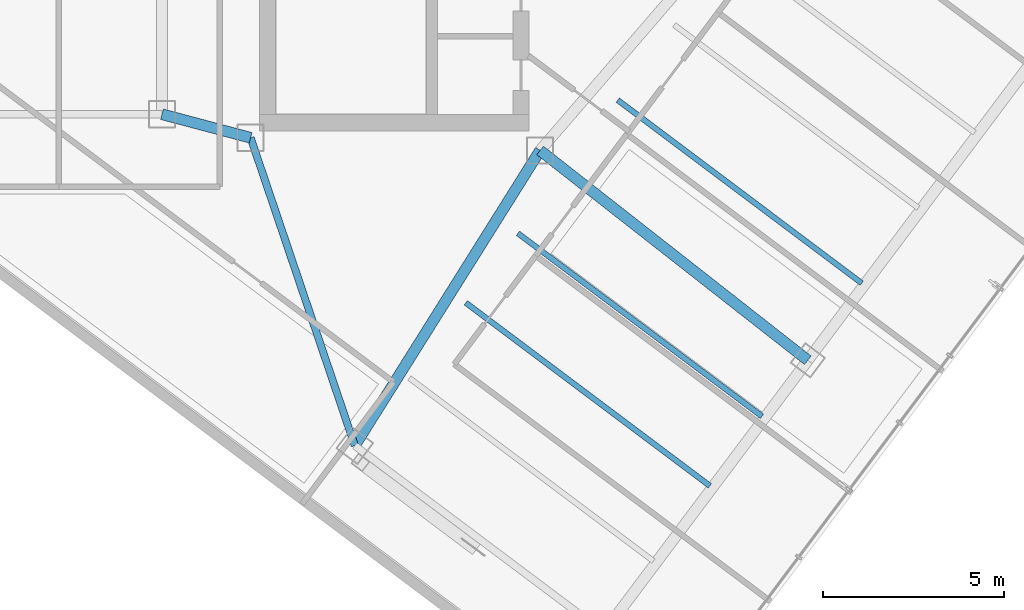
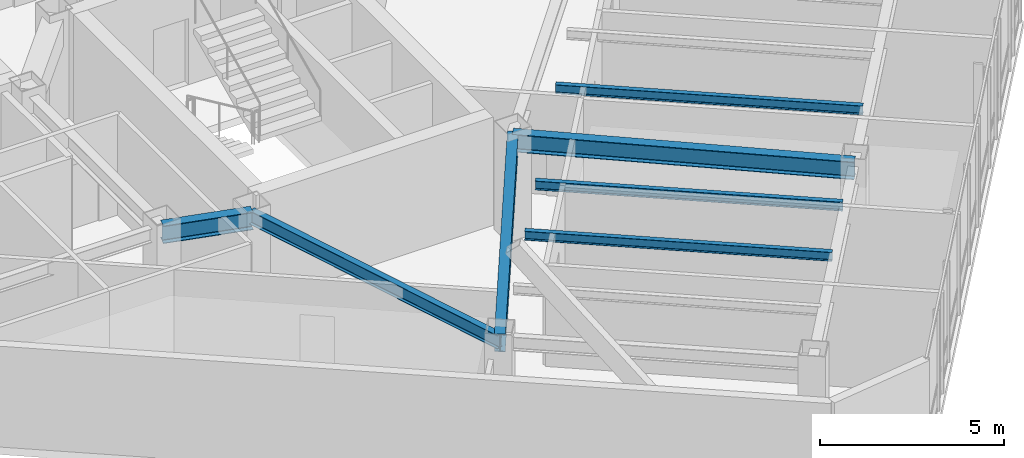
# One storey, part 3 of 26: 7 beams.
"""IFC4 building model written with IfcOpenShell, lengths in metres."""

from ifc_helpers import new_model, si_unit, direction, frame, origin, origin_2d, place, context, subcontext, project, spatial, i_section, extrude, material, material_profile, profile_set, type_object, element, save


model = new_model("IFC4")

# Units and contexts
model_context = context("Model", 3, precision=1e-05, world=origin(), true_north=direction((0.0, 1.0)))
body_context = subcontext(model_context, "Body", "Model", "MODEL_VIEW")
ifc_project = project(units=[si_unit("LENGTHUNIT", "METRE"), si_unit("AREAUNIT", "SQUARE_METRE"), si_unit("VOLUMEUNIT", "CUBIC_METRE"), si_unit("PLANEANGLEUNIT", "RADIAN"), si_unit("MASSUNIT", "GRAM", prefix="KILO")], contexts=[model_context])

# Site, building, storey
site_placement = place(None, origin())
site = spatial("IfcSite", under=ifc_project, at=site_placement, CompositionType="ELEMENT")
building_placement = place(site_placement, origin())
building = spatial("IfcBuilding", under=site, at=building_placement, Name="Hatsunagi Terrace Concourse", CompositionType="ELEMENT")
storey_placement = place(building_placement, frame((0.0, 0.0, 195.14990234375)))
storey = spatial("IfcBuildingStorey", under=building, at=storey_placement, Name="L51", CompositionType="ELEMENT", Elevation=195.14990234375)

# Beams
ifc_material_1 = material(Name="Steel SN490B", Category="steel")
ifc_material_profile_1 = material_profile(ifc_material_1, i_section(OverallWidth=0.300048828125, OverallDepth=0.587890625, WebThickness=0.011962890625, FlangeThickness=0.02001953125, FilletRadius=0.01806640625, at=origin_2d()), Name="H-588x300x12x20")
ifc_profile_set_1 = profile_set([ifc_material_profile_1], Name="Steel SN490B")
beam_type_1 = type_object("IfcBeamType", Name="OfficeHighGirder_H_588x300", PredefinedType="BEAM", material=ifc_profile_set_1)
beam_1_placement = place(storey_placement, frame((33.35009765625, 25.199951171875, 3.05615234375), z_axis=(0.966569840116, -0.256403479262, 0.0), x_axis=(0.256403479262, 0.966569840116, 0.0)))
element("IfcBeam", 1, at=beam_1_placement, inside=storey, type_object=beam_type_1, Name="Beam G-06 BM-L51-K2CB", PredefinedType="BEAM", context=body_context, shape_type="SweptSolid", body=[
    extrude(i_section(OverallWidth=0.300048828125, OverallDepth=0.587890625, WebThickness=0.011962890625, FlangeThickness=0.02001953125, FilletRadius=0.01806640625, at=origin_2d()), origin(), (0.0, 0.0, 1.0), 2.53466796875),
])
beam_2_placement = place(storey_placement, frame((38.679931640625, 16.0400390625, 3.05615234375), z_axis=(0.531503907049, 0.847055840421, 0.0), x_axis=(-0.847055840421, 0.531503907049, 0.0)))
element("IfcBeam", 2, at=beam_2_placement, inside=storey, type_object=beam_type_1, Name="Beam G-06 BM-L51-SET-1A", PredefinedType="BEAM", context=body_context, shape_type="SweptSolid", body=[
    extrude(i_section(OverallWidth=0.300048828125, OverallDepth=0.587890625, WebThickness=0.011962890625, FlangeThickness=0.02001953125, FilletRadius=0.01806640625, at=origin_2d()), origin(), (0.0, 0.0, 1.0), 9.63330078125),
])
beam_3_placement = place(storey_placement, frame((43.800048828125, 24.199951171875, 3.05615234375), z_axis=(0.787049441068, -0.616889923175, 0.0), x_axis=(0.616889923175, 0.787049441068, 0.0)))
element("IfcBeam", 3, at=beam_3_placement, inside=storey, type_object=beam_type_1, Name="Beam G-06 BM-L51-SE-M2", PredefinedType="BEAM", context=body_context, shape_type="SweptSolid", body=[
    extrude(i_section(OverallWidth=0.300048828125, OverallDepth=0.587890625, WebThickness=0.011962890625, FlangeThickness=0.02001953125, FilletRadius=0.01806640625, at=origin_2d()), origin(), (0.0, 0.0, 1.0), 9.402099609375),
])
ifc_material_2 = material(Name="Steel SN490B", Category="steel")
ifc_material_profile_2 = material_profile(ifc_material_2, i_section(OverallWidth=0.14990234375, OverallDepth=0.300048828125, WebThickness=0.006591796875, FlangeThickness=0.009033203125, FilletRadius=0.010986328125, at=origin_2d()), Name="H-300x150x6.5x9")
ifc_profile_set_2 = profile_set([ifc_material_profile_2], Name="Steel SN490B")
beam_type_2 = type_object("IfcBeamType", Name="OfficeJoist_H_300x150", PredefinedType="JOIST", material=ifc_profile_set_2)
for number, where, z_axis, x_axis, name in (
    (4, (41.748046875, 19.989013671875, 3.2001953125), (0.799989573921, -0.600013901187, 0.0), (0.600013901187, 0.799989573921, 0.0), "Beam J-03 J-L51-SE-2-72"),
    (5, (43.18798828125, 21.908935546875, 3.2001953125), (0.800003475366, -0.59999536615, 0.0), (0.59999536615, 0.800003475366, 0.0), "Beam J-03 J-L51-SE-2-96"),
    (6, (45.947998046875, 25.589111328125, 3.2001953125), (0.799989573921, -0.600013901187, 0.0), (0.600013901187, 0.799989573921, 0.0), "Beam J-03 J-L51-SE-2-142"),
):
    element("IfcBeam", number, at=place(storey_placement, frame(where, z_axis=z_axis, x_axis=x_axis)), inside=storey, type_object=beam_type_2, Name=name, PredefinedType="JOIST", context=body_context, shape_type="SweptSolid", body=[
        extrude(i_section(OverallWidth=0.14990234375, OverallDepth=0.300048828125, WebThickness=0.006591796875, FlangeThickness=0.009033203125, FilletRadius=0.010986328125, at=origin_2d()), origin(), (0.0, 0.0, 1.0), 8.429931640625),
    ])
ifc_material_3 = material(Name="Steel SN490B", Category="steel")
ifc_material_profile_3 = material_profile(ifc_material_3, i_section(OverallWidth=0.199951171875, OverallDepth=0.449951171875, WebThickness=0.009033203125, FlangeThickness=0.013916015625, FilletRadius=0.01611328125, at=origin_2d()), Name="H-450x200x9x14")
ifc_profile_set_3 = profile_set([ifc_material_profile_3], Name="Steel SN490B")
beam_type_3 = type_object("IfcBeamType", Name="PerimeterSpandrel_H_450x200", PredefinedType="SPANDREL", material=ifc_profile_set_3)
beam_4_placement = place(storey_placement, frame((35.800048828125, 24.550048828125, 3.125), z_axis=(0.320553412271, -0.947230441805, 0.0), x_axis=(0.947230441805, 0.320553412271, 0.0)))
element("IfcBeam", 7, at=beam_4_placement, inside=storey, type_object=beam_type_3, Name="Beam SP-02 BM-L51-SE-SW0", PredefinedType="SPANDREL", context=body_context, shape_type="SweptSolid", body=[
    extrude(i_section(OverallWidth=0.199951171875, OverallDepth=0.449951171875, WebThickness=0.009033203125, FlangeThickness=0.013916015625, FilletRadius=0.01611328125, at=origin_2d()), origin(), (0.0, 0.0, 1.0), 8.984130859375),
])

save(model, "model.ifc")
